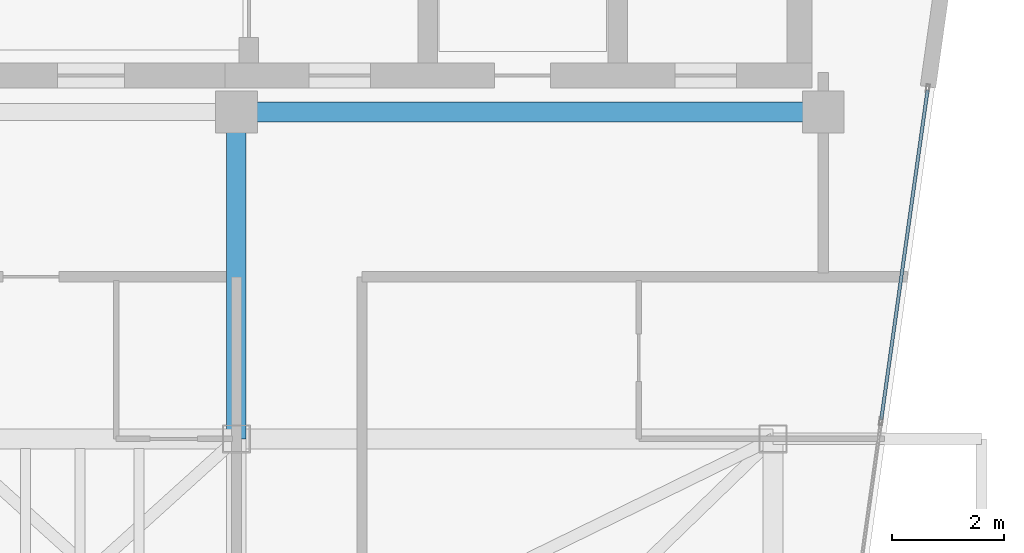
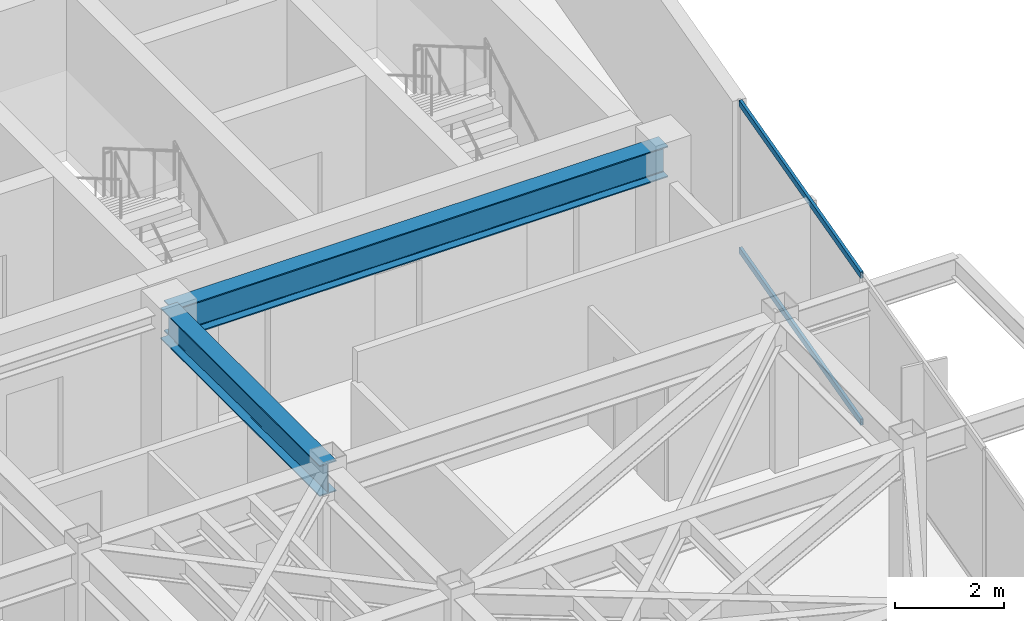
# One storey, part 14 of 20: 2 beams, 2 members, 1 element without a shape of its own.
"""IFC4 building model written with IfcOpenShell, lengths in metres."""

from ifc_helpers import new_model, si_unit, direction, frame, origin, origin_2d, place, context, subcontext, project, spatial, hollow_rectangle, i_section, extrude, material, layer, layer_set, material_profile, profile_set, type_object, element, aggregate, save


model = new_model("IFC4")

# Units and contexts
model_context = context("Model", 3, precision=1e-05, world=origin(), true_north=direction((0.0, 1.0)))
body_context = subcontext(model_context, "Body", "Model", "MODEL_VIEW")
ifc_project = project(units=[si_unit("LENGTHUNIT", "METRE"), si_unit("AREAUNIT", "SQUARE_METRE"), si_unit("VOLUMEUNIT", "CUBIC_METRE"), si_unit("PLANEANGLEUNIT", "RADIAN"), si_unit("MASSUNIT", "GRAM", prefix="KILO")], contexts=[model_context])

# Site, building, storey
site_placement = place(None, origin())
site = spatial("IfcSite", under=ifc_project, at=site_placement, CompositionType="ELEMENT")
building_placement = place(site_placement, origin())
building = spatial("IfcBuilding", under=site, at=building_placement, Name="Kravanh Interchange Tower", CompositionType="ELEMENT")
storey_placement = place(building_placement, frame((0.0, 0.0, 245.39990234375)))
storey = spatial("IfcBuildingStorey", under=building, at=storey_placement, Name="L59", CompositionType="ELEMENT", Elevation=245.39990234375)

# Curtain wall, members
ifc_material_1 = material(Name="Anodised Bronze Aluminium", Category="aluminium")
ifc_layer = layer(ifc_material_1, 0.179931640625)
ifc_layer_set = layer_set([ifc_layer], Name="Unitised Curtain Wall System CW-HTL Luxury Hotel")
curtain_wall_type = type_object("IfcCurtainWallType", Name="Unitised Curtain Wall System CW-HTL Luxury Hotel", PredefinedType="NOTDEFINED", material=ifc_layer_set)
curtain_wall_placement = place(storey_placement, origin())
curtain_wall = element("IfcCurtainWall", 1, at=curtain_wall_placement, inside=storey, type_object=curtain_wall_type, Name="L59 Unitised Curtain Wall CW-L59-01", PredefinedType="NOTDEFINED")
ifc_material_2 = material(Name="Anodised Bronze Aluminium", Category="aluminium")
ifc_material_profile_1 = material_profile(ifc_material_2, hollow_rectangle(XDim=0.06005859375, YDim=0.139892578125, WallThickness=0.00390625, at=origin_2d()), Name="ALU60X140X4")
ifc_profile_set_1 = profile_set([ifc_material_profile_1], Name="Anodised Bronze Aluminium")
member_type = type_object("IfcMemberType", Name="Curtain Wall Transom ALU60X140X4 Bronze", PredefinedType="USERDEFINED", material=ifc_profile_set_1)
member_1_placement = place(storey_placement, frame((68.36669921875, 37.740478515625, 0.030029296875), z_axis=(-0.139188244898, -0.990265940282, 0.0), x_axis=(0.990265940282, -0.139188244898, 0.0)))
member_1 = element("IfcMember", 2, at=member_1_placement, type_object=member_type, Name="CW-HTL transom 1.1", ObjectType="TRANSOM", PredefinedType="USERDEFINED", context=body_context, shape_type="SweptSolid", body=[
    extrude(hollow_rectangle(XDim=0.06005859375, YDim=0.139892578125, WallThickness=0.00390625, at=origin_2d()), origin(), (0.0, 0.0, 1.0), 5.954833984375),
])
member_2_placement = place(storey_placement, frame((68.36669921875, 37.740478515625, 3.330078125), z_axis=(-0.139188244898, -0.990265940282, 0.0), x_axis=(0.990265940282, -0.139188244898, 0.0)))
member_2 = element("IfcMember", 3, at=member_2_placement, type_object=member_type, Name="CW-HTL transom 1.2", ObjectType="TRANSOM", PredefinedType="USERDEFINED", context=body_context, shape_type="SweptSolid", body=[
    extrude(hollow_rectangle(XDim=0.06005859375, YDim=0.139892578125, WallThickness=0.00390625, at=origin_2d()), origin(), (0.0, 0.0, 1.0), 5.954833984375),
])
aggregate(curtain_wall, [member_1, member_2])

# Beams
ifc_material_3 = material(Name="Structural Steel S355", Category="steel")
ifc_material_profile_2 = material_profile(ifc_material_3, i_section(OverallWidth=0.35498046875, OverallDepth=0.696044921875, WebThickness=0.015380859375, FlangeThickness=0.02490234375, FilletRadius=0.02392578125, at=origin_2d()), Name="W27X146")
ifc_profile_set_2 = profile_set([ifc_material_profile_2], Name="Structural Steel S355")
beam_type = type_object("IfcBeamType", Name="Floor Beam W27X146 Structural Steel S355", PredefinedType="BEAM", material=ifc_profile_set_2)
beam_1_placement = place(storey_placement, frame((56.0, 31.5, 3.01220703125), z_axis=(0.0, 1.0, 0.0), x_axis=(-1.0, 0.0, 0.0)))
element("IfcBeam", 4, at=beam_1_placement, inside=storey, type_object=beam_type, Name="L59 Primary Floor Girder 10", PredefinedType="BEAM", context=body_context, shape_type="SweptSolid", body=[
    extrude(i_section(OverallWidth=0.35498046875, OverallDepth=0.696044921875, WebThickness=0.015380859375, FlangeThickness=0.02490234375, FilletRadius=0.02392578125, at=origin_2d()), origin(), (0.0, 0.0, 1.0), 5.85009765625),
])
beam_2_placement = place(storey_placement, frame((66.5, 37.35009765625, 3.01220703125), z_axis=(-1.0, 0.0, 0.0), x_axis=(0.0, -1.0, 0.0)))
element("IfcBeam", 5, at=beam_2_placement, inside=storey, type_object=beam_type, Name="L59 Primary Floor Girder 47", PredefinedType="BEAM", context=body_context, shape_type="SweptSolid", body=[
    extrude(i_section(OverallWidth=0.35498046875, OverallDepth=0.696044921875, WebThickness=0.015380859375, FlangeThickness=0.02490234375, FilletRadius=0.02392578125, at=origin_2d()), origin(), (0.0, 0.0, 1.0), 10.5),
])

save(model, "model.ifc")
